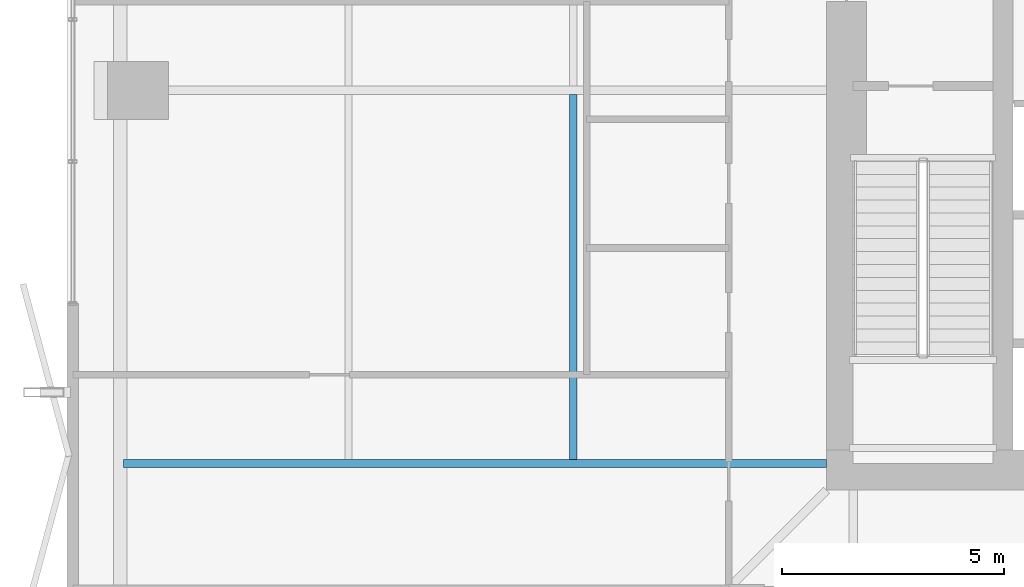
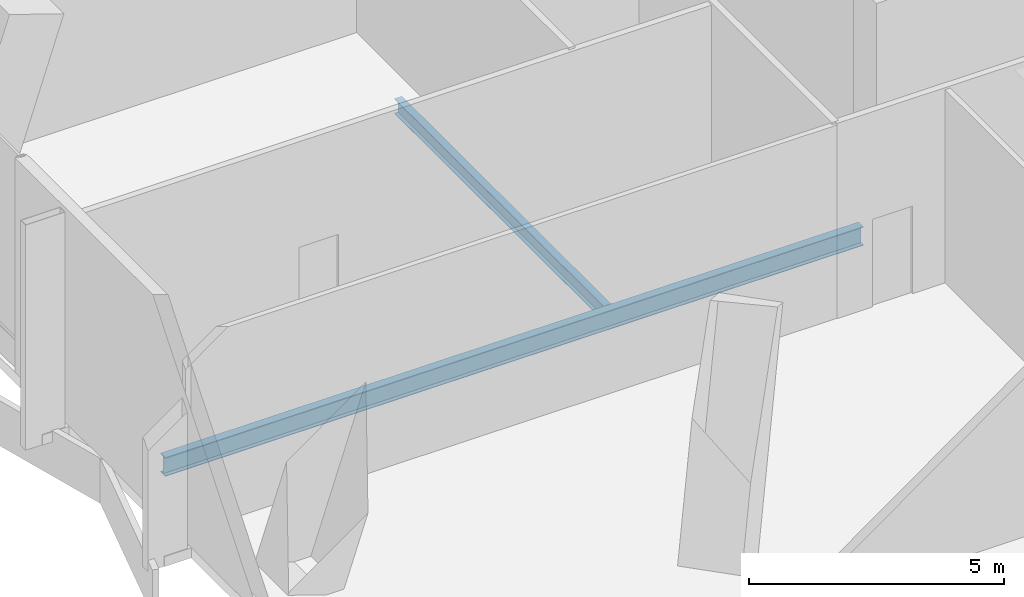
# One storey, part 7 of 28: 2 beams.
"""IFC4 building model written with IfcOpenShell, lengths in metres."""

from ifc_helpers import new_model, si_unit, direction, frame, origin, origin_2d, place, context, subcontext, project, spatial, i_section, extrude, material, material_profile, profile_set, type_object, element, save


model = new_model("IFC4")

# Units and contexts
model_context = context("Model", 3, precision=1e-05, world=origin(), true_north=direction((0.0, 1.0)))
body_context = subcontext(model_context, "Body", "Model", "MODEL_VIEW")
ifc_project = project(units=[si_unit("LENGTHUNIT", "METRE"), si_unit("AREAUNIT", "SQUARE_METRE"), si_unit("VOLUMEUNIT", "CUBIC_METRE"), si_unit("PLANEANGLEUNIT", "RADIAN"), si_unit("MASSUNIT", "GRAM", prefix="KILO")], contexts=[model_context])

# Site, building, storey
site_placement = place(None, origin())
site = spatial("IfcSite", under=ifc_project, at=site_placement, CompositionType="ELEMENT")
building_placement = place(site_placement, origin())
building = spatial("IfcBuilding", under=site, at=building_placement, Name="Belovzor Exchange Tower", CompositionType="ELEMENT")
storey_placement = place(building_placement, frame((0.0, 0.0, 132.89990234375)))
storey = spatial("IfcBuildingStorey", under=building, at=storey_placement, Name="L32", CompositionType="ELEMENT", Elevation=132.89990234375)

# Beams
ifc_material_1 = material(Name="Steel S355", Category="steel")
ifc_material_profile_1 = material_profile(ifc_material_1, i_section(OverallWidth=0.169921875, OverallDepth=0.360107421875, WebThickness=0.008056640625, FlangeThickness=0.0126953125, at=origin_2d()))
ifc_profile_set_1 = profile_set([ifc_material_profile_1], Name="Steel S355")
beam_type_1 = type_object("IfcBeamType", Name="Secondary Infill Floor Joist IPE 360", PredefinedType="BEAM", material=ifc_profile_set_1)
beam_1_placement = place(storey_placement, frame((14.10302734375, 20.4951171875, -0.429931640625), z_axis=(0.0, 1.0, 0.0), x_axis=(-1.0, 0.0, 0.0)))
element("IfcBeam", 1, at=beam_1_placement, inside=storey, type_object=beam_type_1, Name="FJ-360 Secondary Infill Floor Joist IPE 360", PredefinedType="BEAM", context=body_context, shape_type="SweptSolid", body=[
    extrude(i_section(OverallWidth=0.169921875, OverallDepth=0.360107421875, WebThickness=0.008056640625, FlangeThickness=0.0126953125, at=origin_2d()), origin(), (0.0, 0.0, 1.0), 8.2099609375),
])
ifc_material_2 = material(Name="Steel S355", Category="steel")
ifc_material_profile_2 = material_profile(ifc_material_2, i_section(OverallWidth=0.18994140625, OverallDepth=0.449951171875, WebThickness=0.009521484375, FlangeThickness=0.0146484375, at=origin_2d()))
ifc_profile_set_2 = profile_set([ifc_material_profile_2], Name="Steel S355")
beam_type_2 = type_object("IfcBeamType", Name="Zone 2-4 Radial Composite Floor Beam IPE 450", PredefinedType="BEAM", material=ifc_profile_set_2)
beam_2_placement = place(storey_placement, frame((19.800048828125, 20.39990234375, -0.474853515625), z_axis=(-1.0, 0.0, 0.0), x_axis=(0.0, -1.0, 0.0)))
element("IfcBeam", 2, at=beam_2_placement, inside=storey, type_object=beam_type_2, Name="FB-450 Zone 2-4 Radial Composite Floor Beam IPE 450", PredefinedType="BEAM", context=body_context, shape_type="SweptSolid", body=[
    extrude(i_section(OverallWidth=0.18994140625, OverallDepth=0.449951171875, WebThickness=0.009521484375, FlangeThickness=0.0146484375, at=origin_2d()), origin(), (0.0, 0.0, 1.0), 15.824951171875),
])

save(model, "model.ifc")
